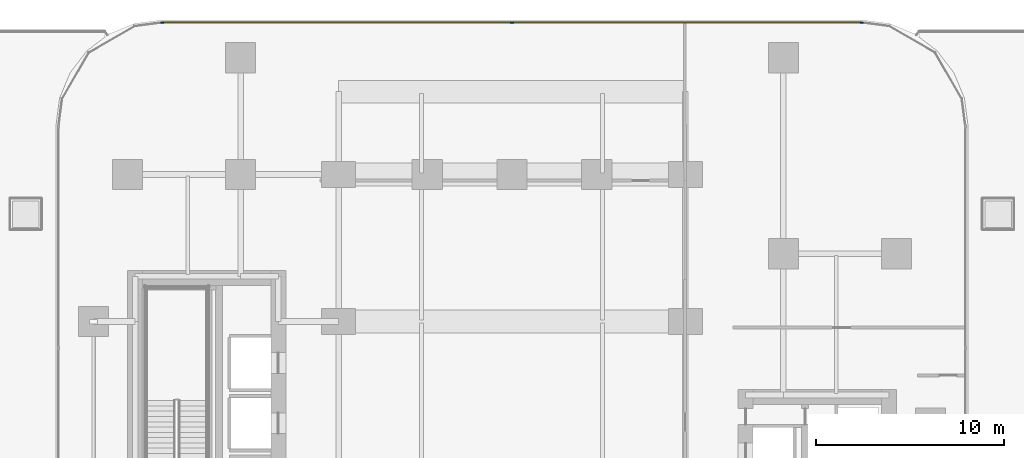
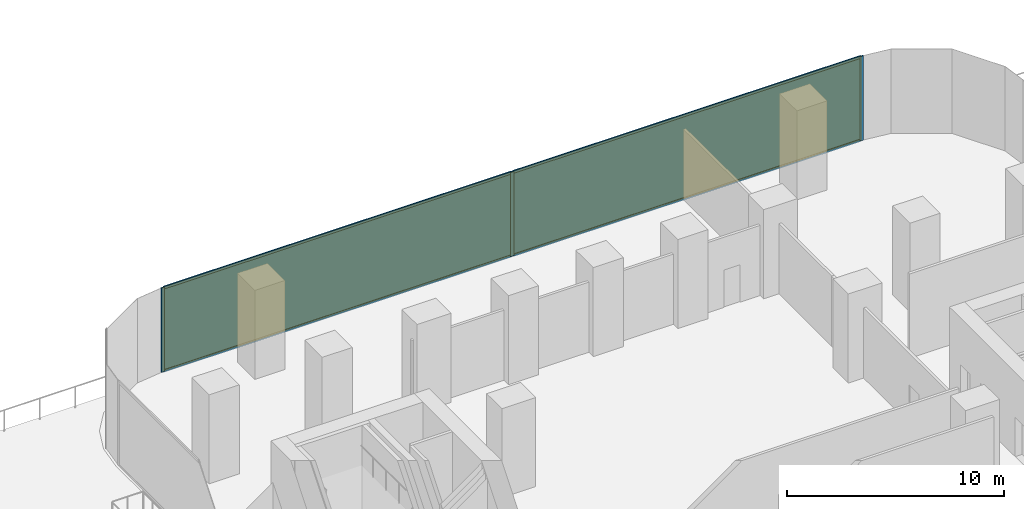
# One storey, part 15 of 21: 7 members, 2 plates, 1 curtain wall.
"""IFC4 building model written with IfcOpenShell, lengths in metres."""

from ifc_helpers import new_model, si_unit, direction, frame, frame_2d, origin, origin_2d, place, context, subcontext, project, spatial, rectangle, extrude, material, layer, layer_set, material_profile, profile_set, type_object, element, aggregate, save


model = new_model("IFC4")

# Units and contexts
model_context = context("Model", 3, precision=1e-05, world=origin(), true_north=direction((0.0, 1.0)))
body_context = subcontext(model_context, "Body", "Model", "MODEL_VIEW")
ifc_project = project(units=[si_unit("LENGTHUNIT", "METRE"), si_unit("AREAUNIT", "SQUARE_METRE"), si_unit("VOLUMEUNIT", "CUBIC_METRE"), si_unit("PLANEANGLEUNIT", "RADIAN"), si_unit("MASSUNIT", "GRAM", prefix="KILO")], contexts=[model_context])

# Member
ifc_material_1 = material(Name="Anodised Bronze Aluminium 6063-T6", Category="aluminium")
ifc_material_profile_1 = material_profile(ifc_material_1, rectangle(XDim=0.06494140625, YDim=0.179931640625, at=origin_2d()))
ifc_profile_set_1 = profile_set([ifc_material_profile_1], Name="Anodised Bronze Aluminium 6063-T6")
member_type_1 = type_object("IfcMemberType", Name="CW-Z1 Mullion 65x180", PredefinedType="MULLION", material=ifc_profile_set_1)
site_placement = place(None, origin())
building_placement = place(site_placement, origin())
storey_placement = place(building_placement, frame((0.0, 0.0, 21.0)))
member_1_placement = place(storey_placement, frame((-18.558349609375, 26.659912109375, 0.0), z_axis=(0.0, 0.0, 1.0), x_axis=(0.0, 1.0, 0.0)))
member_1 = element("IfcMember", 1, at=member_1_placement, type_object=member_type_1, Name="CW-Z1 mullion 1", PredefinedType="MULLION", context=body_context, shape_type="SweptSolid", body=[
    extrude(rectangle(XDim=0.06494140625, YDim=0.179931640625, at=origin_2d()), origin(), (0.0, 0.0, 1.0), 4.739990234375),
])

member_2_placement = place(storey_placement, frame((0.0, 26.659912109375, 0.0), z_axis=(0.0, 0.0, 1.0), x_axis=(0.0, 1.0, 0.0)))
member_2 = element("IfcMember", 2, at=member_2_placement, type_object=member_type_1, Name="CW-Z1 mullion 2", PredefinedType="MULLION", context=body_context, shape_type="SweptSolid", body=[
    extrude(rectangle(XDim=0.06494140625, YDim=0.179931640625, at=origin_2d()), origin(), (0.0, 0.0, 1.0), 4.739990234375),
])

member_3_placement = place(storey_placement, frame((18.558349609375, 26.659912109375, 0.0), z_axis=(0.0, 0.0, 1.0), x_axis=(0.0, 1.0, 0.0)))
member_3 = element("IfcMember", 3, at=member_3_placement, type_object=member_type_1, Name="CW-Z1 mullion 3", PredefinedType="MULLION", context=body_context, shape_type="SweptSolid", body=[
    extrude(rectangle(XDim=0.06494140625, YDim=0.179931640625, at=origin_2d()), origin(), (0.0, 0.0, 1.0), 4.739990234375),
])

ifc_material_2 = material(Name="Anodised Bronze Aluminium 6063-T6", Category="aluminium")
ifc_material_profile_2 = material_profile(ifc_material_2, rectangle(XDim=0.06494140625, YDim=0.139892578125, at=origin_2d()))
ifc_profile_set_2 = profile_set([ifc_material_profile_2], Name="Anodised Bronze Aluminium 6063-T6")
member_type_2 = type_object("IfcMemberType", Name="CW-Z1 Transom 65x140", PredefinedType="USERDEFINED", material=ifc_profile_set_2)
member_4_placement = place(storey_placement, frame((-18.52587890625, 26.659912109375, 0.032470703125), z_axis=(1.0, 0.0, 0.0), x_axis=(0.0, 1.0, 0.0)))
member_4 = element("IfcMember", 4, at=member_4_placement, type_object=member_type_2, Name="CW-Z1 transom 1.1", ObjectType="TRANSOM", PredefinedType="USERDEFINED", context=body_context, shape_type="SweptSolid", body=[
    extrude(rectangle(XDim=0.06494140625, YDim=0.139892578125, at=origin_2d()), origin(), (0.0, 0.0, 1.0), 18.493408203125),
])

member_5_placement = place(storey_placement, frame((-18.52587890625, 26.659912109375, 4.70751953125), z_axis=(1.0, 0.0, 0.0), x_axis=(0.0, 1.0, 0.0)))
member_5 = element("IfcMember", 5, at=member_5_placement, type_object=member_type_2, Name="CW-Z1 transom 1.2", ObjectType="TRANSOM", PredefinedType="USERDEFINED", context=body_context, shape_type="SweptSolid", body=[
    extrude(rectangle(XDim=0.06494140625, YDim=0.139892578125, at=origin_2d()), origin(), (0.0, 0.0, 1.0), 18.493408203125),
])

member_6_placement = place(storey_placement, frame((0.032470703125, 26.659912109375, 0.032470703125), z_axis=(1.0, 0.0, 0.0), x_axis=(0.0, 1.0, 0.0)))
member_6 = element("IfcMember", 6, at=member_6_placement, type_object=member_type_2, Name="CW-Z1 transom 2.1", ObjectType="TRANSOM", PredefinedType="USERDEFINED", context=body_context, shape_type="SweptSolid", body=[
    extrude(rectangle(XDim=0.06494140625, YDim=0.139892578125, at=origin_2d()), origin(), (0.0, 0.0, 1.0), 18.493408203125),
])

member_7_placement = place(storey_placement, frame((0.032470703125, 26.659912109375, 4.70751953125), z_axis=(1.0, 0.0, 0.0), x_axis=(0.0, 1.0, 0.0)))
member_7 = element("IfcMember", 7, at=member_7_placement, type_object=member_type_2, Name="CW-Z1 transom 2.2", ObjectType="TRANSOM", PredefinedType="USERDEFINED", context=body_context, shape_type="SweptSolid", body=[
    extrude(rectangle(XDim=0.06494140625, YDim=0.139892578125, at=origin_2d()), origin(), (0.0, 0.0, 1.0), 18.493408203125),
])

# Plate
ifc_material_3 = material(Name="Low-E Solar Control Laminated Glass", Category="glass")
ifc_layer_1 = layer(ifc_material_3, 0.028076171875, Name="Low-E Solar Control Laminated Glass")
ifc_layer_set_1 = layer_set([ifc_layer_1], Name="Low-E Solar Control Laminated Glass")
plate_type = type_object("IfcPlateType", Name="CW-Z1 Low-E Double Glazed Panel 28mm", PredefinedType="CURTAIN_PANEL", material=ifc_layer_set_1)
plate_1_placement = place(storey_placement, frame((-9.279052734375, 26.659912109375, 0.06494140625), z_axis=(0.0, 0.0, 1.0), x_axis=(1.0, 0.0, 0.0)))
plate_1 = element("IfcPlate", 8, at=plate_1_placement, type_object=plate_type, Name="CW-Z1 panel 1.1", PredefinedType="CURTAIN_PANEL", context=body_context, shape_type="SweptSolid", body=[
    extrude(rectangle(XDim=18.493408203125, YDim=0.028076171875, at=origin_2d()), origin(), (0.0, 0.0, 1.0), 4.610107421875),
])

plate_2_placement = place(storey_placement, frame((9.279052734375, 26.659912109375, 0.06494140625), z_axis=(0.0, 0.0, 1.0), x_axis=(1.0, 0.0, 0.0)))
plate_2 = element("IfcPlate", 9, at=plate_2_placement, type_object=plate_type, Name="CW-Z1 panel 2.1", PredefinedType="CURTAIN_PANEL", context=body_context, shape_type="SweptSolid", body=[
    extrude(rectangle(XDim=18.493408203125, YDim=0.028076171875, at=origin_2d()), origin(), (0.0, 0.0, 1.0), 4.610107421875),
])

# Site, building, storey
site = spatial("IfcSite", under=ifc_project, at=site_placement, CompositionType="ELEMENT")
building = spatial("IfcBuilding", under=site, at=building_placement, Name="Khairoan Windgate Tower", CompositionType="ELEMENT")
storey = spatial("IfcBuildingStorey", under=building, at=storey_placement, Name="L05", CompositionType="ELEMENT", Elevation=21.0)

# Curtain wall
ifc_material_4 = material(Name="Anodised Bronze Aluminium 6063-T6", Category="aluminium")
ifc_layer_2 = layer(ifc_material_4, 0.179931640625, Name="Anodised Bronze Aluminium 6063-T6")
ifc_layer_set_2 = layer_set([ifc_layer_2], Name="Anodised Bronze Aluminium 6063-T6")
curtain_wall_type = type_object("IfcCurtainWallType", Name="Low-Rise Office Unitised Curtain Wall CW-Z1", PredefinedType="NOTDEFINED", material=ifc_layer_set_2)
curtain_wall_placement = place(storey_placement, frame((-18.5908203125, 26.659912109375, 0.0), z_axis=(0.0, 0.0, 1.0), x_axis=(1.0, 0.0, 0.0)))
curtain_wall = element("IfcCurtainWall", 10, at=curtain_wall_placement, inside=storey, type_object=curtain_wall_type, Name="L05 Unitised Curtain Wall 11", PredefinedType="NOTDEFINED", context=body_context, shape_type="SweptSolid", body=[
    extrude(rectangle(XDim=37.181640625, YDim=0.010009765625, at=frame_2d((18.5908203125, 0.0))), origin(), (0.0, 0.0, 1.0), 4.739990234375),
])

aggregate(curtain_wall, [member_1, member_2, member_3, member_4, member_5, plate_1, member_6, member_7, plate_2])

save(model, "model.ifc")
